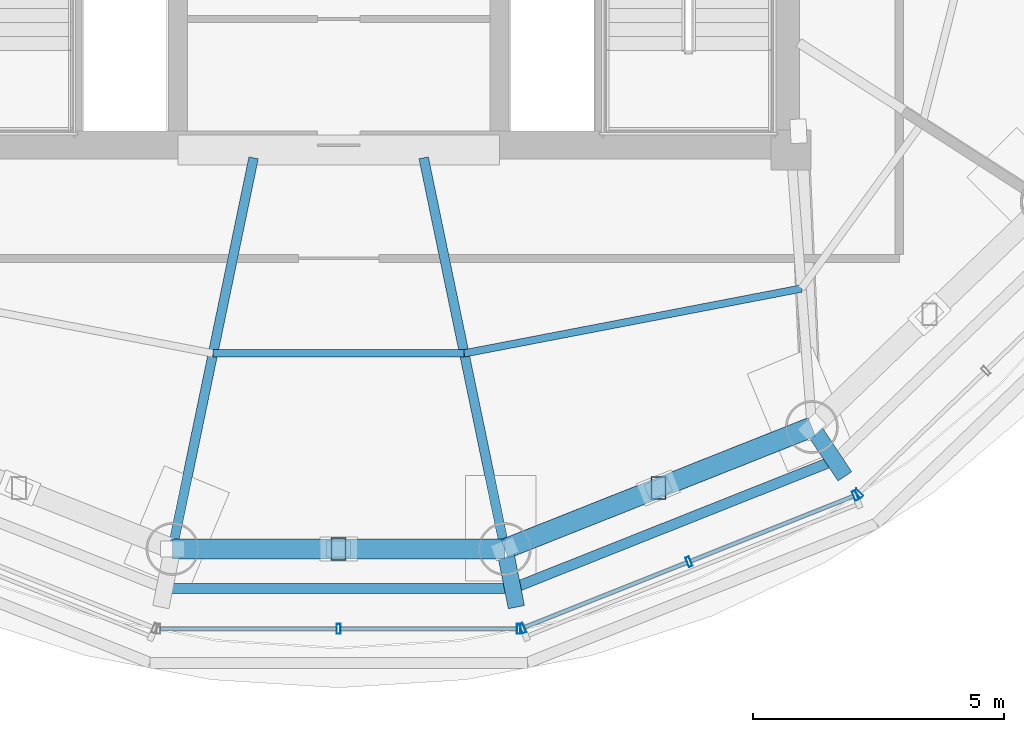
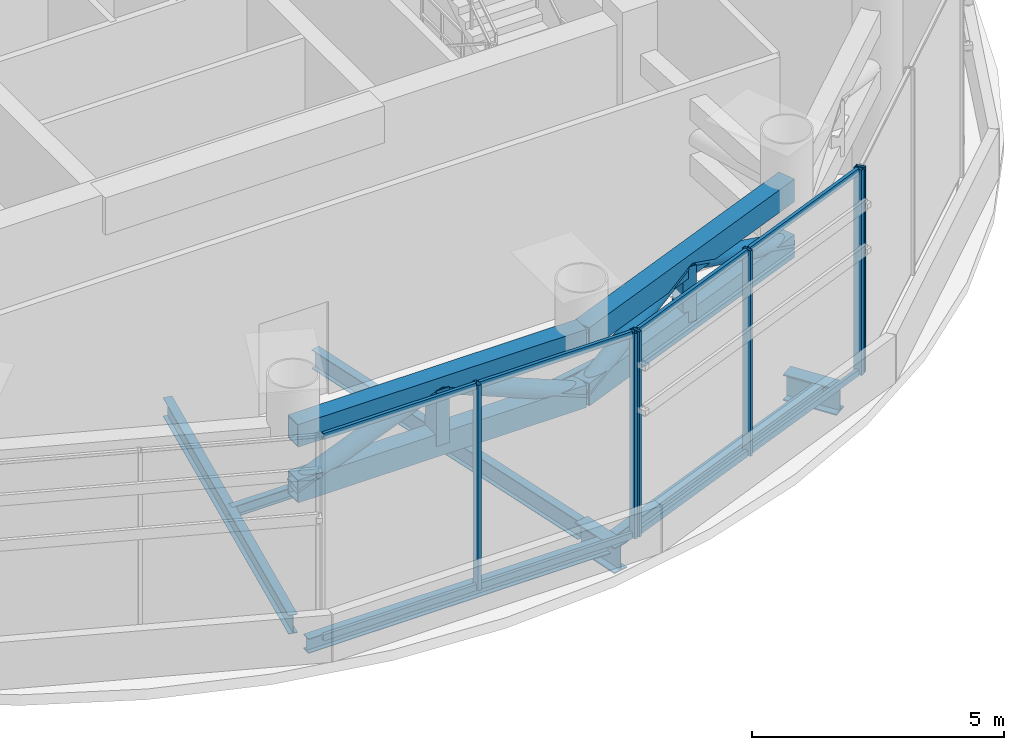
# One storey, part 4 of 21: 24 members, 8 beams, 3 elements without a shape of their own.
"""IFC4 building model written with IfcOpenShell, lengths in metres."""

from ifc_helpers import new_model, si_unit, direction, frame, origin, origin_2d, place, context, subcontext, project, spatial, hollow_rectangle, hollow_circle, i_section, extrude, source, transform, mapped, material, material_profile, profile_set, type_object, element, aggregate, save


model = new_model("IFC4")

# Units and contexts
model_context = context("Model", 3, precision=1e-05, world=origin(), true_north=direction((-0.2419218956, 0.970295726276)))
body_context = subcontext(model_context, "Body", "Model", "MODEL_VIEW")
ifc_project = project(units=[si_unit("LENGTHUNIT", "METRE"), si_unit("AREAUNIT", "SQUARE_METRE"), si_unit("VOLUMEUNIT", "CUBIC_METRE"), si_unit("PLANEANGLEUNIT", "RADIAN"), si_unit("MASSUNIT", "GRAM", prefix="KILO")], contexts=[model_context])

# Site, building, storey
site_placement = place(None, origin())
site = spatial("IfcSite", under=ifc_project, at=site_placement, CompositionType="ELEMENT")
building_placement = place(site_placement, origin())
building = spatial("IfcBuilding", under=site, at=building_placement, Name="Cobrevalo Terracotta Tower", CompositionType="ELEMENT")
storey_placement = place(building_placement, frame((0.0, 0.0, 300.699951171875)))
storey = spatial("IfcBuildingStorey", under=building, at=storey_placement, Name="L79", CompositionType="ELEMENT", Elevation=300.699951171875)

# Beams
ifc_material_1 = material(Name="Steel S355", Category="steel")
ifc_material_profile_1 = material_profile(ifc_material_1, i_section(OverallWidth=0.19091796875, OverallDepth=0.4599609375, WebThickness=0.010009765625, FlangeThickness=0.01611328125, at=origin_2d()), Name="W 460x82")
ifc_profile_set_1 = profile_set([ifc_material_profile_1], Name="Steel S355")
beam_type_1 = type_object("IfcBeamType", Name="Structural Beam W 460x82 (Steel S355)", PredefinedType="BEAM", material=ifc_profile_set_1)
for number, where, z_axis, x_axis, name in (
    (1, (34.693115234375, 10.8623046875, -0.679931640625), (0.203181453885, 0.979141101577, 0.0), (-0.979141101577, 0.203181453885, 0.0), "L79 radial floor girder 12"),
    (2, (41.306884765625, 10.8623046875, -0.679931640625), (-0.203181453885, 0.979141101577, 0.0), (-0.979141101577, -0.203181453885, 0.0), "L79 radial floor girder 13"),
):
    element("IfcBeam", number, at=place(storey_placement, frame(where, z_axis=z_axis, x_axis=x_axis)), inside=storey, type_object=beam_type_1, Name=name, PredefinedType="BEAM", context=body_context, shape_type="SweptSolid", body=[
        extrude(i_section(OverallWidth=0.19091796875, OverallDepth=0.4599609375, WebThickness=0.010009765625, FlangeThickness=0.01611328125, at=origin_2d()), origin(), (0.0, 0.0, 1.0), 7.948486328125),
    ])
ifc_material_profile_2 = material_profile(ifc_material_1, i_section(OverallWidth=0.3291015625, OverallDepth=0.635009765625, WebThickness=0.017822265625, FlangeThickness=0.031005859375, at=origin_2d()), Name="W 610x241")
ifc_profile_set_2 = profile_set([ifc_material_profile_2], Name="Steel S355")
beam_type_2 = type_object("IfcBeamType", Name="Structural Beam W 610x241 (Steel S355)", PredefinedType="BEAM", material=ifc_profile_set_2)
beam_1_placement = place(storey_placement, frame((41.536865234375, 9.704833984375, -0.767333984375), z_axis=(-0.194882646266, 0.980826566822, 0.0), x_axis=(-0.980826566822, -0.194882646266, 0.0)))
element("IfcBeam", 3, at=beam_1_placement, inside=storey, type_object=beam_type_2, Name="L79 setback step-link girder 13", PredefinedType="BEAM", context=body_context, shape_type="SweptSolid", body=[
    extrude(i_section(OverallWidth=0.3291015625, OverallDepth=0.635009765625, WebThickness=0.017822265625, FlangeThickness=0.031005859375, at=origin_2d()), origin(), (0.0, 0.0, 1.0), 1.18017578125),
])
beam_2_placement = place(storey_placement, frame((48.072509765625, 12.307373046875, -0.767333984375), z_axis=(-0.555511595138, 0.831508789892, 0.0), x_axis=(-0.831508789892, -0.555511595138, 0.0)))
element("IfcBeam", 4, at=beam_2_placement, inside=storey, type_object=beam_type_2, Name="L79 setback step-link girder 14", PredefinedType="BEAM", context=body_context, shape_type="SweptSolid", body=[
    extrude(i_section(OverallWidth=0.3291015625, OverallDepth=0.635009765625, WebThickness=0.017822265625, FlangeThickness=0.031005859375, at=origin_2d()), origin(), (0.0, 0.0, 1.0), 1.179931640625),
])
ifc_material_profile_3 = material_profile(ifc_material_1, i_section(OverallWidth=0.14794921875, OverallDepth=0.26611328125, WebThickness=0.007568359375, FlangeThickness=0.012939453125, at=origin_2d()), Name="W 250x44.8")
ifc_profile_set_3 = profile_set([ifc_material_profile_3], Name="Steel S355")
beam_type_3 = type_object("IfcBeamType", Name="Structural Joist W 250x44.8 (Steel S355)", PredefinedType="JOIST", material=ifc_profile_set_3)
beam_3_placement = place(storey_placement, frame((35.50048828125, 14.753662109375, -0.5830078125), z_axis=(1.0, 0.0, 0.0), x_axis=(0.0, 1.0, 0.0)))
element("IfcBeam", 5, at=beam_3_placement, inside=storey, type_object=beam_type_3, Name="L79 circumferential secondary floor joist 12", PredefinedType="JOIST", context=body_context, shape_type="SweptSolid", body=[
    extrude(i_section(OverallWidth=0.14794921875, OverallDepth=0.26611328125, WebThickness=0.007568359375, FlangeThickness=0.012939453125, at=origin_2d()), origin(), (0.0, 0.0, 1.0), 4.9990234375),
])
beam_4_placement = place(storey_placement, frame((40.49951171875, 14.753662109375, -0.5830078125), z_axis=(0.981997269935, 0.188895108038, 0.0), x_axis=(-0.188895108038, 0.981997269935, 0.0)))
element("IfcBeam", 6, at=beam_4_placement, inside=storey, type_object=beam_type_3, Name="L79 circumferential secondary floor joist 13", PredefinedType="JOIST", context=body_context, shape_type="SweptSolid", body=[
    extrude(i_section(OverallWidth=0.14794921875, OverallDepth=0.26611328125, WebThickness=0.007568359375, FlangeThickness=0.012939453125, at=origin_2d()), origin(), (0.0, 0.0, 1.0), 6.83203125),
])
ifc_material_profile_4 = material_profile(ifc_material_1, i_section(OverallWidth=0.205078125, OverallDepth=0.35400390625, WebThickness=0.009521484375, FlangeThickness=0.016845703125, at=origin_2d()), Name="W 360x79")
ifc_profile_set_4 = profile_set([ifc_material_profile_4], Name="Steel S355")
beam_type_4 = type_object("IfcBeamType", Name="Structural Spandrel W 360x79 (Steel S355)", PredefinedType="SPANDREL", material=ifc_profile_set_4)
beam_5_placement = place(storey_placement, frame((34.537109375, 10.07763671875, -0.626953125), z_axis=(1.0, 0.0, 0.0), x_axis=(0.0, 1.0, 0.0)))
element("IfcBeam", 7, at=beam_5_placement, inside=storey, type_object=beam_type_4, Name="L79 perimeter ring spandrel 12", PredefinedType="SPANDREL", context=body_context, shape_type="SweptSolid", body=[
    extrude(i_section(OverallWidth=0.205078125, OverallDepth=0.35400390625, WebThickness=0.009521484375, FlangeThickness=0.016845703125, at=origin_2d()), origin(), (0.0, 0.0, 1.0), 6.92578125),
])
beam_6_placement = place(storey_placement, frame((41.462890625, 10.07763671875, -0.626953125), z_axis=(0.929149986048, 0.369702993533, 0.0), x_axis=(-0.369702993533, 0.929149986048, 0.0)))
element("IfcBeam", 8, at=beam_6_placement, inside=storey, type_object=beam_type_4, Name="L79 perimeter ring spandrel 13", PredefinedType="SPANDREL", context=body_context, shape_type="SweptSolid", body=[
    extrude(i_section(OverallWidth=0.205078125, OverallDepth=0.35400390625, WebThickness=0.009521484375, FlangeThickness=0.016845703125, at=origin_2d()), origin(), (0.0, 0.0, 1.0), 6.88623046875),
])

# Members
ifc_material_profile_5 = material_profile(ifc_material_1, hollow_rectangle(XDim=0.300048828125, YDim=0.449951171875, WallThickness=0.02001953125, at=origin_2d()), Name="RHS 450x300x20")
ifc_profile_set_5 = profile_set([ifc_material_profile_5], Name="Steel S355")
member_type_1 = type_object("IfcMemberType", Name="Steel Post RHS 450x300x20 (Steel S355)", PredefinedType="POST", material=ifc_profile_set_5)
shared_shape_1 = source(origin(), body_context, "Body", "SweptSolid", [
    extrude(hollow_rectangle(XDim=0.300048828125, YDim=0.449951171875, WallThickness=0.02001953125, at=origin_2d()), origin(), (0.0, 0.0, 1.0), 1.349853515625),
])
for number, where, z_axis, x_axis, name in (
    (9, (38.0, 10.8623046875, 2.650146484375), (0.0, 0.0, 1.0), (1.0, 0.0, 0.0), "L79 belt truss post 12"),
    (10, (44.36181640625, 12.075439453125, 2.650146484375), (0.0, 0.0, 1.0), (1.0, 0.0, 0.0), "L79 belt truss post 13"),
):
    element("IfcMember", number, at=place(storey_placement, frame(where, z_axis=z_axis, x_axis=x_axis)), inside=storey, type_object=member_type_1, Name=name, PredefinedType="POST", context=body_context, shape_type="MappedRepresentation", body=[
        mapped(shared_shape_1, transform((0.0, 0.0, 0.0), scale=1.0)),
    ])
ifc_material_profile_6 = material_profile(ifc_material_1, hollow_rectangle(XDim=0.39990234375, YDim=0.550048828125, WallThickness=0.02490234375, at=origin_2d()), Name="RHS 550x400x25")
ifc_profile_set_6 = profile_set([ifc_material_profile_6], Name="Steel S355")
member_type_2 = type_object("IfcMemberType", Name="Steel Chord RHS 550x400x25 (Steel S355)", PredefinedType="CHORD", material=ifc_profile_set_6)
shared_shape_2 = source(origin(), body_context, "Body", "SweptSolid", [
    extrude(hollow_rectangle(XDim=0.39990234375, YDim=0.550048828125, WallThickness=0.02490234375, at=origin_2d()), origin(), (0.0, 0.0, 1.0), 6.57421875),
])
for number, where, z_axis, x_axis, name in (
    (11, (41.306884765625, 10.8623046875, 2.650146484375), (0.929406010795, 0.369058893806, 0.0), (-0.369058893806, 0.929406010795, 0.0), "L79 belt truss chord 13-BC"),
    (12, (41.306884765625, 10.8623046875, 4.0), (0.929406010795, 0.369058893806, 0.0), (-0.369058893806, 0.929406010795, 0.0), "L79 belt truss chord 13-TC"),
):
    element("IfcMember", number, at=place(storey_placement, frame(where, z_axis=z_axis, x_axis=x_axis)), inside=storey, type_object=member_type_2, Name=name, PredefinedType="CHORD", context=body_context, shape_type="MappedRepresentation", body=[
        mapped(shared_shape_2, transform((0.0, 0.0, 0.0), scale=1.0)),
    ])
ifc_material_profile_7 = material_profile(ifc_material_1, hollow_circle(Radius=0.202880859375, WallThickness=0.01611328125, at=origin_2d()), Name="CHS 406x16")
ifc_profile_set_7 = profile_set([ifc_material_profile_7], Name="Steel S355")
member_type_3 = type_object("IfcMemberType", Name="Steel Brace CHS 406x16 (Steel S355)", PredefinedType="BRACE", material=ifc_profile_set_7)
shared_shape_3 = source(origin(), body_context, "Body", "SweptSolid", [
    extrude(hollow_circle(Radius=0.202880859375, WallThickness=0.01611328125, at=origin_2d()), origin(), (0.0, 0.0, 1.0), 3.553466796875),
])
for number, where, z_axis, x_axis, name in (
    (13, (41.306884765625, 10.8623046875, 2.650146484375), (0.859729028206, 0.341404422693, 0.379880268277), (-0.369071632111, 0.929400952426, 0.0), "L79 belt truss diagonal brace 13-D1"),
    (14, (47.4169921875, 13.28857421875, 2.650146484375), (-0.859746949903, -0.341384257158, 0.379857830111), (0.369046156311, -0.929411068641, 0.0), "L79 belt truss diagonal brace 13-D2"),
):
    element("IfcMember", number, at=place(storey_placement, frame(where, z_axis=z_axis, x_axis=x_axis)), inside=storey, type_object=member_type_3, Name=name, PredefinedType="BRACE", context=body_context, shape_type="MappedRepresentation", body=[
        mapped(shared_shape_3, transform((0.0, 0.0, 0.0), scale=1.0)),
    ])
shared_shape_4 = source(origin(), body_context, "Body", "SweptSolid", [
    extrude(hollow_rectangle(XDim=0.39990234375, YDim=0.550048828125, WallThickness=0.02490234375, at=origin_2d()), origin(), (0.0, 0.0, 1.0), 6.61376953125),
])
for number, where, z_axis, x_axis, name in (
    (15, (34.693115234375, 10.8623046875, 2.650146484375), (1.0, 0.0, 0.0), (0.0, 1.0, 0.0), "L79 belt truss chord 12-BC"),
    (16, (34.693115234375, 10.8623046875, 4.0), (1.0, 0.0, 0.0), (0.0, 1.0, 0.0), "L79 belt truss chord 12-TC"),
):
    element("IfcMember", number, at=place(storey_placement, frame(where, z_axis=z_axis, x_axis=x_axis)), inside=storey, type_object=member_type_2, Name=name, PredefinedType="CHORD", context=body_context, shape_type="MappedRepresentation", body=[
        mapped(shared_shape_4, transform((0.0, 0.0, 0.0), scale=1.0)),
    ])
shared_shape_5 = source(origin(), body_context, "Body", "SweptSolid", [
    extrude(hollow_circle(Radius=0.202880859375, WallThickness=0.01611328125, at=origin_2d()), origin(), (0.0, 0.0, 1.0), 3.57177734375),
])
for number, where, z_axis, x_axis, name in (
    (17, (34.693115234375, 10.8623046875, 2.650146484375), (0.925837394109, 0.0, 0.377922107939), (0.0, 1.0, 0.0), "L79 belt truss diagonal brace 12-D1"),
    (18, (41.306884765625, 10.8623046875, 2.650146484375), (-0.925837394109, 0.0, 0.377922107939), (0.0, -1.0, 0.0), "L79 belt truss diagonal brace 12-D2"),
):
    element("IfcMember", number, at=place(storey_placement, frame(where, z_axis=z_axis, x_axis=x_axis)), inside=storey, type_object=member_type_3, Name=name, PredefinedType="BRACE", context=body_context, shape_type="MappedRepresentation", body=[
        mapped(shared_shape_5, transform((0.0, 0.0, 0.0), scale=1.0)),
    ])

# Curtain wall, members
ifc_material_2 = material(Name="Anodized aluminium", Category="aluminium")
curtain_wall_type = type_object("IfcCurtainWallType", Name="Belt-truss plant acoustic weather-louvre curtain wall CW-LV", PredefinedType="NOTDEFINED", material=ifc_material_2)
curtain_wall_1_placement = place(storey_placement, origin())
curtain_wall_1 = element("IfcCurtainWall", 19, at=curtain_wall_1_placement, inside=storey, type_object=curtain_wall_type, Name="L79 curtain wall CW-LV-L79-S12", PredefinedType="NOTDEFINED")
ifc_material_profile_8 = material_profile(ifc_material_2, hollow_rectangle(XDim=0.074951171875, YDim=0.199951171875, WallThickness=0.0048828125, at=origin_2d()), Name="CWM 75x200")
ifc_profile_set_8 = profile_set([ifc_material_profile_8], Name="Anodized aluminium")
member_type_4 = type_object("IfcMemberType", Name="Lower/mid tower unitised mullion 75x200", PredefinedType="MULLION", material=ifc_profile_set_8)
shared_shape_6 = source(origin(), body_context, "Body", "SweptSolid", [
    extrude(hollow_rectangle(XDim=0.074951171875, YDim=0.199951171875, WallThickness=0.0048828125, at=origin_2d()), origin(), (0.0, 0.0, 1.0), 4.97998046875),
])
member_1_placement = place(storey_placement, frame((38.0, 9.2734375, 0.0), z_axis=(0.0, 0.0, 1.0), x_axis=(1.0, 0.0, 0.0)))
member_1 = element("IfcMember", 20, at=member_1_placement, type_object=member_type_4, Name="CW-LV-L79-S12 vertical mullion 02", PredefinedType="MULLION", context=body_context, shape_type="MappedRepresentation", body=[
    mapped(shared_shape_6, transform((0.0, 0.0, 0.0), scale=1.0)),
])
member_2_placement = place(storey_placement, frame((41.582763671875, 9.2734375, 0.0), z_axis=(0.0, 0.0, 1.0), x_axis=(1.0, 0.0, 0.0)))
member_2 = element("IfcMember", 21, at=member_2_placement, type_object=member_type_4, Name="CW-LV-L79-S12 vertical mullion 03", PredefinedType="MULLION", context=body_context, shape_type="MappedRepresentation", body=[
    mapped(shared_shape_6, transform((0.0, 0.0, 0.0), scale=1.0)),
])

curtain_wall_2_placement = place(storey_placement, origin())
curtain_wall_2 = element("IfcCurtainWall", 22, at=curtain_wall_2_placement, inside=storey, type_object=curtain_wall_type, Name="L79 curtain wall CW-LV-L79-S13", PredefinedType="NOTDEFINED")
member_3_placement = place(storey_placement, frame((41.659912109375, 9.2880859375, 0.0), z_axis=(0.0, 0.0, 1.0), x_axis=(0.928925921087, 0.370265625102, 0.0)))
member_3 = element("IfcMember", 23, at=member_3_placement, type_object=member_type_4, Name="CW-LV-L79-S13 vertical mullion 01", PredefinedType="MULLION", context=body_context, shape_type="MappedRepresentation", body=[
    mapped(shared_shape_6, transform((0.0, 0.0, 0.0), scale=1.0)),
])
member_4_placement = place(storey_placement, frame((44.969970703125, 10.607421875, 0.0), z_axis=(0.0, 0.0, 1.0), x_axis=(0.928925921087, 0.370265625102, 0.0)))
member_4 = element("IfcMember", 24, at=member_4_placement, type_object=member_type_4, Name="CW-LV-L79-S13 vertical mullion 02", PredefinedType="MULLION", context=body_context, shape_type="MappedRepresentation", body=[
    mapped(shared_shape_6, transform((0.0, 0.0, 0.0), scale=1.0)),
])
member_5_placement = place(storey_placement, frame((48.27978515625, 11.9267578125, 0.0), z_axis=(0.0, 0.0, 1.0), x_axis=(0.928925921087, 0.370265625102, 0.0)))
member_5 = element("IfcMember", 25, at=member_5_placement, type_object=member_type_4, Name="CW-LV-L79-S13 vertical mullion 03", PredefinedType="MULLION", context=body_context, shape_type="MappedRepresentation", body=[
    mapped(shared_shape_6, transform((0.0, 0.0, 0.0), scale=1.0)),
])

# Curtain wall, member
curtain_wall_3_placement = place(storey_placement, origin())
curtain_wall_3 = element("IfcCurtainWall", 26, at=curtain_wall_3_placement, inside=storey, type_object=curtain_wall_type, Name="L79 curtain wall CW-LV-L79-S14", PredefinedType="NOTDEFINED")
member_6_placement = place(storey_placement, frame((48.345703125, 11.969482421875, 0.0), z_axis=(0.0, 0.0, 1.0), x_axis=(0.72055111168, 0.693401828276, 0.0)))
member_6 = element("IfcMember", 27, at=member_6_placement, type_object=member_type_4, Name="CW-LV-L79-S14 vertical mullion 01", PredefinedType="MULLION", context=body_context, shape_type="MappedRepresentation", body=[
    mapped(shared_shape_6, transform((0.0, 0.0, 0.0), scale=1.0)),
])
aggregate(curtain_wall_3, [member_6])

# Member
ifc_material_profile_9 = material_profile(ifc_material_2, hollow_rectangle(XDim=0.074951171875, YDim=0.14990234375, WallThickness=0.00439453125, at=origin_2d()), Name="CWT 75x150")
ifc_profile_set_9 = profile_set([ifc_material_profile_9], Name="Anodized aluminium")
member_type_5 = type_object("IfcMemberType", Name="Tower unitised aluminium transom 75x150", PredefinedType="USERDEFINED", material=ifc_profile_set_9)
shared_shape_7 = source(origin(), body_context, "Body", "SweptSolid", [
    extrude(hollow_rectangle(XDim=0.074951171875, YDim=0.14990234375, WallThickness=0.00439453125, at=origin_2d()), origin(), (0.0, 0.0, 1.0), 3.483154296875),
])
member_7_placement = place(storey_placement, frame((41.697021484375, 9.302978515625, 0.050048828125), z_axis=(0.928915921031, 0.370290712353, 0.0), x_axis=(-0.370290712353, 0.928915921031, 0.0)))
member_7 = element("IfcMember", 28, at=member_7_placement, type_object=member_type_5, Name="CW-LV-L79-S13 transom B01-T1", ObjectType="TRANSOM", PredefinedType="USERDEFINED", context=body_context, shape_type="MappedRepresentation", body=[
    mapped(shared_shape_7, transform((0.0, 0.0, 0.0), scale=1.0)),
])

member_8_placement = place(storey_placement, frame((41.697021484375, 9.302978515625, 4.929931640625), z_axis=(0.928915921031, 0.370290712353, 0.0), x_axis=(-0.370290712353, 0.928915921031, 0.0)))
member_8 = element("IfcMember", 29, at=member_8_placement, type_object=member_type_5, Name="CW-LV-L79-S13 transom B01-T2", ObjectType="TRANSOM", PredefinedType="USERDEFINED", context=body_context, shape_type="MappedRepresentation", body=[
    mapped(shared_shape_7, transform((0.0, 0.0, 0.0), scale=1.0)),
])

member_9_placement = place(storey_placement, frame((45.007080078125, 10.622314453125, 0.050048828125), z_axis=(0.928915921031, 0.370290712353, 0.0), x_axis=(-0.370290712353, 0.928915921031, 0.0)))
member_9 = element("IfcMember", 30, at=member_9_placement, type_object=member_type_5, Name="CW-LV-L79-S13 transom B02-T1", ObjectType="TRANSOM", PredefinedType="USERDEFINED", context=body_context, shape_type="MappedRepresentation", body=[
    mapped(shared_shape_7, transform((0.0, 0.0, 0.0), scale=1.0)),
])

member_10_placement = place(storey_placement, frame((45.007080078125, 10.622314453125, 4.929931640625), z_axis=(0.928915921031, 0.370290712353, 0.0), x_axis=(-0.370290712353, 0.928915921031, 0.0)))
member_10 = element("IfcMember", 31, at=member_10_placement, type_object=member_type_5, Name="CW-LV-L79-S13 transom B02-T2", ObjectType="TRANSOM", PredefinedType="USERDEFINED", context=body_context, shape_type="MappedRepresentation", body=[
    mapped(shared_shape_7, transform((0.0, 0.0, 0.0), scale=1.0)),
])

aggregate(curtain_wall_2, [member_3, member_4, member_5, member_7, member_8, member_9, member_10])

shared_shape_8 = source(origin(), body_context, "Body", "SweptSolid", [
    extrude(hollow_rectangle(XDim=0.074951171875, YDim=0.14990234375, WallThickness=0.00439453125, at=origin_2d()), origin(), (0.0, 0.0, 1.0), 3.502685546875),
])
member_11_placement = place(storey_placement, frame((34.457275390625, 9.2734375, 0.050048828125), z_axis=(1.0, 0.0, 0.0), x_axis=(0.0, 1.0, 0.0)))
member_11 = element("IfcMember", 32, at=member_11_placement, type_object=member_type_5, Name="CW-LV-L79-S12 transom B01-T1", ObjectType="TRANSOM", PredefinedType="USERDEFINED", context=body_context, shape_type="MappedRepresentation", body=[
    mapped(shared_shape_8, transform((0.0, 0.0, 0.0), scale=1.0)),
])

member_12_placement = place(storey_placement, frame((34.457275390625, 9.2734375, 4.929931640625), z_axis=(1.0, 0.0, 0.0), x_axis=(0.0, 1.0, 0.0)))
member_12 = element("IfcMember", 33, at=member_12_placement, type_object=member_type_5, Name="CW-LV-L79-S12 transom B01-T2", ObjectType="TRANSOM", PredefinedType="USERDEFINED", context=body_context, shape_type="MappedRepresentation", body=[
    mapped(shared_shape_8, transform((0.0, 0.0, 0.0), scale=1.0)),
])

member_13_placement = place(storey_placement, frame((38.0400390625, 9.2734375, 0.050048828125), z_axis=(1.0, 0.0, 0.0), x_axis=(0.0, 1.0, 0.0)))
member_13 = element("IfcMember", 34, at=member_13_placement, type_object=member_type_5, Name="CW-LV-L79-S12 transom B02-T1", ObjectType="TRANSOM", PredefinedType="USERDEFINED", context=body_context, shape_type="MappedRepresentation", body=[
    mapped(shared_shape_8, transform((0.0, 0.0, 0.0), scale=1.0)),
])

member_14_placement = place(storey_placement, frame((38.0400390625, 9.2734375, 4.929931640625), z_axis=(1.0, 0.0, 0.0), x_axis=(0.0, 1.0, 0.0)))
member_14 = element("IfcMember", 35, at=member_14_placement, type_object=member_type_5, Name="CW-LV-L79-S12 transom B02-T2", ObjectType="TRANSOM", PredefinedType="USERDEFINED", context=body_context, shape_type="MappedRepresentation", body=[
    mapped(shared_shape_8, transform((0.0, 0.0, 0.0), scale=1.0)),
])

aggregate(curtain_wall_1, [member_1, member_2, member_11, member_12, member_13, member_14])

save(model, "model.ifc")
